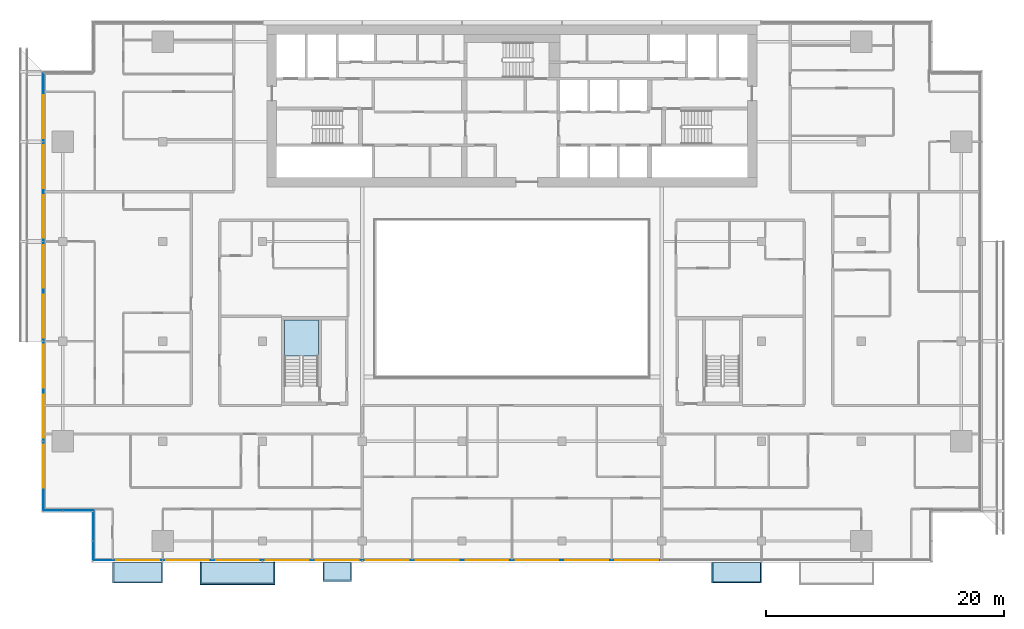
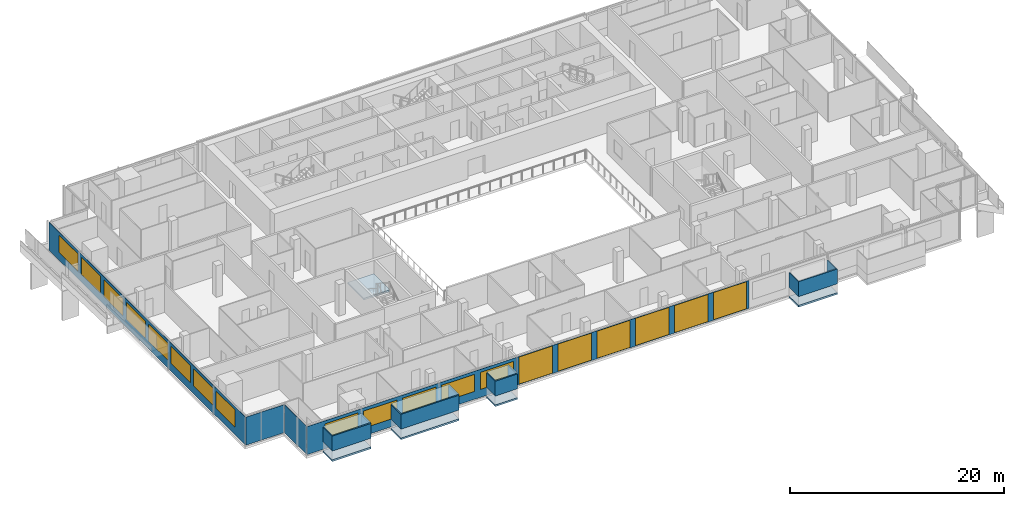
# One storey, part 15 of 29: 19 windows, 12 plates, 5 slabs, 19 openings, 5 elements without a shape of their own.
"""IFC4 building model written with IfcOpenShell, lengths in metres."""

from ifc_helpers import new_model, si_unit, direction, frame, frame_2d, origin, place, context, subcontext, project, spatial, polyline, rectangle, outline, extrude, material, layer, layer_set, type_object, element, fill, aggregate, save


model = new_model("IFC4")

# Units and contexts
model_context = context("Model", 3, precision=1e-05, world=origin(), true_north=direction((0.0, 1.0)))
body_context = subcontext(model_context, "Body", "Model", "MODEL_VIEW")
ifc_project = project(units=[si_unit("LENGTHUNIT", "METRE"), si_unit("AREAUNIT", "SQUARE_METRE"), si_unit("VOLUMEUNIT", "CUBIC_METRE"), si_unit("PLANEANGLEUNIT", "RADIAN"), si_unit("MASSUNIT", "GRAM", prefix="KILO")], contexts=[model_context])

# Site, building, storey
site_placement = place(None, origin())
site = spatial("IfcSite", under=ifc_project, at=site_placement, CompositionType="ELEMENT")
building_placement = place(site_placement, origin())
building = spatial("IfcBuilding", under=site, at=building_placement, Name="Saffron Gate Tower", CompositionType="ELEMENT")
storey_placement = place(building_placement, frame((0.0, 0.0, 161.85009765625)))
storey = spatial("IfcBuildingStorey", under=building, at=storey_placement, Name="L39", CompositionType="ELEMENT", Elevation=161.85009765625)

# Curtain wall, plates, openings, windows
ifc_material_1 = material(Name="Aluminium, bronze anodised", Category="aluminium")
curtain_wall_type_1 = type_object("IfcCurtainWallType", Name="CWS1 curtain wall front facade", PredefinedType="NOTDEFINED", material=ifc_material_1)
curtain_wall_1_placement = place(storey_placement, origin())
curtain_wall_1 = element("IfcCurtainWall", 1, at=curtain_wall_1_placement, inside=storey, type_object=curtain_wall_type_1, Name="CWS1 run 1", PredefinedType="NOTDEFINED")
ifc_material_2 = material(Name="Clear low-iron laminated glass", Category="glass")
ifc_layer_1 = layer(ifc_material_2, 0.028076171875)
ifc_layer_set_1 = layer_set([ifc_layer_1], Name="CWS1 clear glass")
plate_type_1 = type_object("IfcPlateType", Name="CWS1 clear glass", PredefinedType="CURTAIN_PANEL", material=ifc_layer_set_1)
plate_1_placement = place(storey_placement, frame((75.030029296875, 30.174072265625, 0.0), z_axis=(0.0, 0.0, 1.0), x_axis=(1.0, 0.0, 0.0)))
plate_1 = element("IfcPlate", 2, at=plate_1_placement, type_object=plate_type_1, Name="CWS1 clear glass panel", PredefinedType="CURTAIN_PANEL", context=body_context, shape_type="SweptSolid", body=[
    extrude(rectangle(XDim=25.139892578125, YDim=0.028076171875, at=frame_2d((12.56982421875, 0.0))), origin(), (0.0, 0.0, 1.0), 3.199951171875),
])
opening_1_placement = place(plate_1_placement, frame((0.27001953125, 0.0, 0.050048828125)))
opening_1 = element("IfcOpeningElement", 3, at=opening_1_placement, cuts=plate_1, Name="Opening WA", PredefinedType="OPENING", context=body_context, shape_type="SweptSolid", body=[
    extrude(rectangle(XDim=3.60009765625, YDim=3.10009765625, at=frame_2d((1.800048828125, 1.550048828125))), frame((0.0, 0.02392578125, 0.0), z_axis=(0.0, -1.0, 0.0), x_axis=(1.0, 0.0, 0.0)), (0.0, 0.0, 1.0), 0.048095703125),
])
opening_2_placement = place(plate_1_placement, frame((4.469970703125, 0.0, 0.050048828125)))
opening_2 = element("IfcOpeningElement", 4, at=opening_2_placement, cuts=plate_1, Name="Opening WA", PredefinedType="OPENING", context=body_context, shape_type="SweptSolid", body=[
    extrude(rectangle(XDim=3.60009765625, YDim=3.10009765625, at=frame_2d((1.800048828125, 1.550048828125))), frame((0.0, 0.02392578125, 0.0), z_axis=(0.0, -1.0, 0.0), x_axis=(1.0, 0.0, 0.0)), (0.0, 0.0, 1.0), 0.048095703125),
])
opening_3_placement = place(plate_1_placement, frame((8.669921875, 0.0, 0.050048828125)))
opening_3 = element("IfcOpeningElement", 5, at=opening_3_placement, cuts=plate_1, Name="Opening WA", PredefinedType="OPENING", context=body_context, shape_type="SweptSolid", body=[
    extrude(rectangle(XDim=3.60009765625, YDim=3.10009765625, at=frame_2d((1.800048828125, 1.550048828125))), frame((0.0, 0.02392578125, 0.0), z_axis=(0.0, -1.0, 0.0), x_axis=(1.0, 0.0, 0.0)), (0.0, 0.0, 1.0), 0.048095703125),
])
opening_4_placement = place(plate_1_placement, frame((12.8701171875, 0.0, 0.050048828125)))
opening_4 = element("IfcOpeningElement", 6, at=opening_4_placement, cuts=plate_1, Name="Opening WA", PredefinedType="OPENING", context=body_context, shape_type="SweptSolid", body=[
    extrude(rectangle(XDim=3.60009765625, YDim=3.10009765625, at=frame_2d((1.800048828125, 1.550048828125))), frame((0.0, 0.02392578125, 0.0), z_axis=(0.0, -1.0, 0.0), x_axis=(1.0, 0.0, 0.0)), (0.0, 0.0, 1.0), 0.048095703125),
])
opening_5_placement = place(plate_1_placement, frame((17.070068359375, 0.0, 0.050048828125)))
opening_5 = element("IfcOpeningElement", 7, at=opening_5_placement, cuts=plate_1, Name="Opening WA", PredefinedType="OPENING", context=body_context, shape_type="SweptSolid", body=[
    extrude(rectangle(XDim=3.60009765625, YDim=3.10009765625, at=frame_2d((1.800048828125, 1.550048828125))), frame((0.0, 0.02392578125, 0.0), z_axis=(0.0, -1.0, 0.0), x_axis=(1.0, 0.0, 0.0)), (0.0, 0.0, 1.0), 0.048095703125),
])
opening_6_placement = place(plate_1_placement, frame((21.27001953125, 0.0, 0.050048828125)))
opening_6 = element("IfcOpeningElement", 8, at=opening_6_placement, cuts=plate_1, Name="Opening WA", PredefinedType="OPENING", context=body_context, shape_type="SweptSolid", body=[
    extrude(rectangle(XDim=3.60009765625, YDim=3.10009765625, at=frame_2d((1.800048828125, 1.550048828125))), frame((0.0, 0.02392578125, 0.0), z_axis=(0.0, -1.0, 0.0), x_axis=(1.0, 0.0, 0.0)), (0.0, 0.0, 1.0), 0.048095703125),
])
ifc_material_3 = material(Name="Clear low-iron laminated glass in bronze frame", Category="glass")
ifc_layer_2 = layer(ifc_material_3, 0.06005859375)
ifc_layer_set_2 = layer_set([ifc_layer_2], Name="WA operable atrium unit 3600x3100")
window_type_1 = type_object("IfcWindowType", Name="WA operable atrium unit 3600x3100", PartitioningType="DOUBLE_PANEL_HORIZONTAL", PredefinedType="WINDOW", material=ifc_layer_set_2)
window_1_placement = place(opening_1_placement, origin())
window_1 = element("IfcWindow", 9, at=window_1_placement, type_object=window_type_1, Name="WA operable atrium unit", OverallHeight=3.10009765625, OverallWidth=3.60009765625, PartitioningType="SINGLE_PANEL", PredefinedType="WINDOW", context=body_context, shape_type="SweptSolid", body=[
    extrude(rectangle(XDim=3.60009765625, YDim=3.10009765625, at=frame_2d((1.800048828125, 1.550048828125))), frame((0.0, 0.013671875, 0.0), z_axis=(0.0, -1.0, 0.0), x_axis=(1.0, 0.0, 0.0)), (0.0, 0.0, 1.0), 0.027587890625),
])
fill(opening_1, window_1)
window_2_placement = place(opening_2_placement, origin())
window_2 = element("IfcWindow", 10, at=window_2_placement, type_object=window_type_1, Name="WA operable atrium unit", OverallHeight=3.10009765625, OverallWidth=3.60009765625, PartitioningType="SINGLE_PANEL", PredefinedType="WINDOW", context=body_context, shape_type="SweptSolid", body=[
    extrude(rectangle(XDim=3.60009765625, YDim=3.10009765625, at=frame_2d((1.800048828125, 1.550048828125))), frame((0.0, 0.013671875, 0.0), z_axis=(0.0, -1.0, 0.0), x_axis=(1.0, 0.0, 0.0)), (0.0, 0.0, 1.0), 0.027587890625),
])
fill(opening_2, window_2)
window_3_placement = place(opening_3_placement, origin())
window_3 = element("IfcWindow", 11, at=window_3_placement, type_object=window_type_1, Name="WA operable atrium unit", OverallHeight=3.10009765625, OverallWidth=3.60009765625, PartitioningType="SINGLE_PANEL", PredefinedType="WINDOW", context=body_context, shape_type="SweptSolid", body=[
    extrude(rectangle(XDim=3.60009765625, YDim=3.10009765625, at=frame_2d((1.800048828125, 1.550048828125))), frame((0.0, 0.013671875, 0.0), z_axis=(0.0, -1.0, 0.0), x_axis=(1.0, 0.0, 0.0)), (0.0, 0.0, 1.0), 0.027587890625),
])
fill(opening_3, window_3)
window_4_placement = place(opening_4_placement, origin())
window_4 = element("IfcWindow", 12, at=window_4_placement, type_object=window_type_1, Name="WA operable atrium unit", OverallHeight=3.10009765625, OverallWidth=3.60009765625, PartitioningType="SINGLE_PANEL", PredefinedType="WINDOW", context=body_context, shape_type="SweptSolid", body=[
    extrude(rectangle(XDim=3.60009765625, YDim=3.10009765625, at=frame_2d((1.800048828125, 1.550048828125))), frame((0.0, 0.013671875, 0.0), z_axis=(0.0, -1.0, 0.0), x_axis=(1.0, 0.0, 0.0)), (0.0, 0.0, 1.0), 0.027587890625),
])
fill(opening_4, window_4)
window_5_placement = place(opening_5_placement, origin())
window_5 = element("IfcWindow", 13, at=window_5_placement, type_object=window_type_1, Name="WA operable atrium unit", OverallHeight=3.10009765625, OverallWidth=3.60009765625, PartitioningType="SINGLE_PANEL", PredefinedType="WINDOW", context=body_context, shape_type="SweptSolid", body=[
    extrude(rectangle(XDim=3.60009765625, YDim=3.10009765625, at=frame_2d((1.800048828125, 1.550048828125))), frame((0.0, 0.013671875, 0.0), z_axis=(0.0, -1.0, 0.0), x_axis=(1.0, 0.0, 0.0)), (0.0, 0.0, 1.0), 0.027587890625),
])
fill(opening_5, window_5)
window_6_placement = place(opening_6_placement, origin())
window_6 = element("IfcWindow", 14, at=window_6_placement, type_object=window_type_1, Name="WA operable atrium unit", OverallHeight=3.10009765625, OverallWidth=3.60009765625, PartitioningType="SINGLE_PANEL", PredefinedType="WINDOW", context=body_context, shape_type="SweptSolid", body=[
    extrude(rectangle(XDim=3.60009765625, YDim=3.10009765625, at=frame_2d((1.800048828125, 1.550048828125))), frame((0.0, 0.013671875, 0.0), z_axis=(0.0, -1.0, 0.0), x_axis=(1.0, 0.0, 0.0)), (0.0, 0.0, 1.0), 0.027587890625),
])
fill(opening_6, window_6)
ifc_material_4 = material(Name="Fritted bronze-tinted laminated glass", Category="glass")
ifc_layer_3 = layer(ifc_material_4, 0.028076171875)
ifc_layer_set_3 = layer_set([ifc_layer_3], Name="CWS1 fixed glass")
plate_type_2 = type_object("IfcPlateType", Name="CWS1 fixed glass", PredefinedType="CURTAIN_PANEL", material=ifc_layer_set_3)
plate_2_placement = place(storey_placement, frame((52.387939453125, 30.174072265625, 0.0), z_axis=(0.0, 0.0, 1.0), x_axis=(1.0, 0.0, 0.0)))
plate_2 = element("IfcPlate", 15, at=plate_2_placement, type_object=plate_type_2, Name="CWS1 glass panel", PredefinedType="CURTAIN_PANEL", context=body_context, shape_type="SweptSolid", body=[
    extrude(rectangle(XDim=22.64208984375, YDim=0.028076171875, at=frame_2d((11.321044921875, 0.0))), origin(), (0.0, 0.0, 1.0), 3.199951171875),
])
opening_7_placement = place(plate_2_placement, frame((1.912109375, 0.0, 0.89990234375)))
opening_7 = element("IfcOpeningElement", 16, at=opening_7_placement, cuts=plate_2, Name="Opening W1", PredefinedType="OPENING", context=body_context, shape_type="SweptSolid", body=[
    extrude(rectangle(XDim=3.60009765625, YDim=1.949951171875, at=frame_2d((1.800048828125, 0.97509765625))), frame((0.0, 0.02392578125, 0.0), z_axis=(0.0, -1.0, 0.0), x_axis=(1.0, 0.0, 0.0)), (0.0, 0.0, 1.0), 0.048095703125),
])
opening_8_placement = place(plate_2_placement, frame((6.112060546875, 0.0, 0.89990234375)))
opening_8 = element("IfcOpeningElement", 17, at=opening_8_placement, cuts=plate_2, Name="Opening W1", PredefinedType="OPENING", context=body_context, shape_type="SweptSolid", body=[
    extrude(rectangle(XDim=3.60009765625, YDim=1.949951171875, at=frame_2d((1.800048828125, 0.97509765625))), frame((0.0, 0.02392578125, 0.0), z_axis=(0.0, -1.0, 0.0), x_axis=(1.0, 0.0, 0.0)), (0.0, 0.0, 1.0), 0.048095703125),
])
opening_9_placement = place(plate_2_placement, frame((10.31201171875, 0.0, 0.89990234375)))
opening_9 = element("IfcOpeningElement", 18, at=opening_9_placement, cuts=plate_2, Name="Opening W1", PredefinedType="OPENING", context=body_context, shape_type="SweptSolid", body=[
    extrude(rectangle(XDim=3.60009765625, YDim=1.949951171875, at=frame_2d((1.800048828125, 0.97509765625))), frame((0.0, 0.02392578125, 0.0), z_axis=(0.0, -1.0, 0.0), x_axis=(1.0, 0.0, 0.0)), (0.0, 0.0, 1.0), 0.048095703125),
])
opening_10_placement = place(plate_2_placement, frame((14.511962890625, 0.0, 0.89990234375)))
opening_10 = element("IfcOpeningElement", 19, at=opening_10_placement, cuts=plate_2, Name="Opening W1", PredefinedType="OPENING", context=body_context, shape_type="SweptSolid", body=[
    extrude(rectangle(XDim=3.60009765625, YDim=1.949951171875, at=frame_2d((1.800048828125, 0.97509765625))), frame((0.0, 0.02392578125, 0.0), z_axis=(0.0, -1.0, 0.0), x_axis=(1.0, 0.0, 0.0)), (0.0, 0.0, 1.0), 0.048095703125),
])
opening_11_placement = place(plate_2_placement, frame((18.7119140625, 0.0, 0.89990234375)))
opening_11 = element("IfcOpeningElement", 20, at=opening_11_placement, cuts=plate_2, Name="Opening W1", PredefinedType="OPENING", context=body_context, shape_type="SweptSolid", body=[
    extrude(rectangle(XDim=3.60009765625, YDim=1.949951171875, at=frame_2d((1.800048828125, 0.97509765625))), frame((0.0, 0.02392578125, 0.0), z_axis=(0.0, -1.0, 0.0), x_axis=(1.0, 0.0, 0.0)), (0.0, 0.0, 1.0), 0.048095703125),
])
ifc_material_5 = material(Name="Fritted bronze-tinted laminated glass in bronze frame", Category="glass")
ifc_layer_4 = layer(ifc_material_5, 0.06005859375)
ifc_layer_set_4 = layer_set([ifc_layer_4], Name="W1 operable panel 3600x1950")
window_type_2 = type_object("IfcWindowType", Name="W1 operable panel 3600x1950", PartitioningType="DOUBLE_PANEL_HORIZONTAL", PredefinedType="WINDOW", material=ifc_layer_set_4)
window_7_placement = place(opening_7_placement, origin())
window_7 = element("IfcWindow", 21, at=window_7_placement, type_object=window_type_2, Name="W1 operable panel", OverallHeight=1.949951171875, OverallWidth=3.60009765625, PartitioningType="SINGLE_PANEL", PredefinedType="WINDOW", context=body_context, shape_type="SweptSolid", body=[
    extrude(rectangle(XDim=3.60009765625, YDim=1.949951171875, at=frame_2d((1.800048828125, 0.97509765625))), frame((0.0, 0.013671875, 0.0), z_axis=(0.0, -1.0, 0.0), x_axis=(1.0, 0.0, 0.0)), (0.0, 0.0, 1.0), 0.027587890625),
])
fill(opening_7, window_7)
window_8_placement = place(opening_8_placement, origin())
window_8 = element("IfcWindow", 22, at=window_8_placement, type_object=window_type_2, Name="W1 operable panel", OverallHeight=1.949951171875, OverallWidth=3.60009765625, PartitioningType="SINGLE_PANEL", PredefinedType="WINDOW", context=body_context, shape_type="SweptSolid", body=[
    extrude(rectangle(XDim=3.60009765625, YDim=1.949951171875, at=frame_2d((1.800048828125, 0.97509765625))), frame((0.0, 0.013671875, 0.0), z_axis=(0.0, -1.0, 0.0), x_axis=(1.0, 0.0, 0.0)), (0.0, 0.0, 1.0), 0.027587890625),
])
fill(opening_8, window_8)
window_9_placement = place(opening_9_placement, origin())
window_9 = element("IfcWindow", 23, at=window_9_placement, type_object=window_type_2, Name="W1 operable panel", OverallHeight=1.949951171875, OverallWidth=3.60009765625, PartitioningType="SINGLE_PANEL", PredefinedType="WINDOW", context=body_context, shape_type="SweptSolid", body=[
    extrude(rectangle(XDim=3.60009765625, YDim=1.949951171875, at=frame_2d((1.800048828125, 0.97509765625))), frame((0.0, 0.013671875, 0.0), z_axis=(0.0, -1.0, 0.0), x_axis=(1.0, 0.0, 0.0)), (0.0, 0.0, 1.0), 0.027587890625),
])
fill(opening_9, window_9)
window_10_placement = place(opening_10_placement, origin())
window_10 = element("IfcWindow", 24, at=window_10_placement, type_object=window_type_2, Name="W1 operable panel", OverallHeight=1.949951171875, OverallWidth=3.60009765625, PartitioningType="SINGLE_PANEL", PredefinedType="WINDOW", context=body_context, shape_type="SweptSolid", body=[
    extrude(rectangle(XDim=3.60009765625, YDim=1.949951171875, at=frame_2d((1.800048828125, 0.97509765625))), frame((0.0, 0.013671875, 0.0), z_axis=(0.0, -1.0, 0.0), x_axis=(1.0, 0.0, 0.0)), (0.0, 0.0, 1.0), 0.027587890625),
])
fill(opening_10, window_10)
window_11_placement = place(opening_11_placement, origin())
window_11 = element("IfcWindow", 25, at=window_11_placement, type_object=window_type_2, Name="W1 operable panel", OverallHeight=1.949951171875, OverallWidth=3.60009765625, PartitioningType="SINGLE_PANEL", PredefinedType="WINDOW", context=body_context, shape_type="SweptSolid", body=[
    extrude(rectangle(XDim=3.60009765625, YDim=1.949951171875, at=frame_2d((1.800048828125, 0.97509765625))), frame((0.0, 0.013671875, 0.0), z_axis=(0.0, -1.0, 0.0), x_axis=(1.0, 0.0, 0.0)), (0.0, 0.0, 1.0), 0.027587890625),
])
fill(opening_11, window_11)
aggregate(curtain_wall_1, [plate_2, plate_1, window_7, window_8, window_9, window_10, window_11, window_1, window_2, window_3, window_4, window_5, window_6])

# Curtain wall, plate, openings, windows
curtain_wall_type_2 = type_object("IfcCurtainWallType", Name="CWS2 curtain wall side facades", PredefinedType="NOTDEFINED", material=ifc_material_1)
curtain_wall_2_placement = place(storey_placement, origin())
curtain_wall_2 = element("IfcCurtainWall", 26, at=curtain_wall_2_placement, inside=storey, type_object=curtain_wall_type_2, Name="CWS2 run 10", PredefinedType="NOTDEFINED")
ifc_layer_5 = layer(ifc_material_4, 0.028076171875)
ifc_layer_set_5 = layer_set([ifc_layer_5], Name="CWS2 fixed glass")
plate_type_3 = type_object("IfcPlateType", Name="CWS2 fixed glass", PredefinedType="CURTAIN_PANEL", material=ifc_layer_set_5)
plate_3_placement = place(storey_placement, frame((48.174072265625, 71.2119140625, 0.0), z_axis=(0.0, 0.0, 1.0), x_axis=(0.0, -1.0, 0.0)))
plate_3 = element("IfcPlate", 27, at=plate_3_placement, type_object=plate_type_3, Name="CWS2 glass panel", PredefinedType="CURTAIN_PANEL", context=body_context, shape_type="SweptSolid", body=[
    extrude(rectangle(XDim=36.823974609375, YDim=0.028076171875, at=frame_2d((18.412109375, 0.0))), origin(), (0.0, 0.0, 1.0), 3.199951171875),
])
opening_12_placement = place(plate_3_placement, frame((1.912109375, 0.0, 0.89990234375)))
opening_12 = element("IfcOpeningElement", 28, at=opening_12_placement, cuts=plate_3, Name="Opening W1", PredefinedType="OPENING", context=body_context, shape_type="SweptSolid", body=[
    extrude(rectangle(XDim=3.60009765625, YDim=1.949951171875, at=frame_2d((1.800048828125, 0.97509765625))), frame((0.0, 0.02392578125, 0.0), z_axis=(0.0, -1.0, 0.0), x_axis=(1.0, 0.0, 0.0)), (0.0, 0.0, 1.0), 0.048095703125),
])
opening_13_placement = place(plate_3_placement, frame((6.112060546875, 0.0, 0.89990234375)))
opening_13 = element("IfcOpeningElement", 29, at=opening_13_placement, cuts=plate_3, Name="Opening W1", PredefinedType="OPENING", context=body_context, shape_type="SweptSolid", body=[
    extrude(rectangle(XDim=3.60009765625, YDim=1.949951171875, at=frame_2d((1.800048828125, 0.97509765625))), frame((0.0, 0.02392578125, 0.0), z_axis=(0.0, -1.0, 0.0), x_axis=(1.0, 0.0, 0.0)), (0.0, 0.0, 1.0), 0.048095703125),
])
opening_14_placement = place(plate_3_placement, frame((10.31201171875, 0.0, 0.89990234375)))
opening_14 = element("IfcOpeningElement", 30, at=opening_14_placement, cuts=plate_3, Name="Opening W1", PredefinedType="OPENING", context=body_context, shape_type="SweptSolid", body=[
    extrude(rectangle(XDim=3.60009765625, YDim=1.949951171875, at=frame_2d((1.800048828125, 0.97509765625))), frame((0.0, 0.02392578125, 0.0), z_axis=(0.0, -1.0, 0.0), x_axis=(1.0, 0.0, 0.0)), (0.0, 0.0, 1.0), 0.048095703125),
])
opening_15_placement = place(plate_3_placement, frame((14.511962890625, 0.0, 0.89990234375)))
opening_15 = element("IfcOpeningElement", 31, at=opening_15_placement, cuts=plate_3, Name="Opening W1", PredefinedType="OPENING", context=body_context, shape_type="SweptSolid", body=[
    extrude(rectangle(XDim=3.60009765625, YDim=1.949951171875, at=frame_2d((1.800048828125, 0.97509765625))), frame((0.0, 0.02392578125, 0.0), z_axis=(0.0, -1.0, 0.0), x_axis=(1.0, 0.0, 0.0)), (0.0, 0.0, 1.0), 0.048095703125),
])
opening_16_placement = place(plate_3_placement, frame((18.7119140625, 0.0, 0.89990234375)))
opening_16 = element("IfcOpeningElement", 32, at=opening_16_placement, cuts=plate_3, Name="Opening W1", PredefinedType="OPENING", context=body_context, shape_type="SweptSolid", body=[
    extrude(rectangle(XDim=3.60009765625, YDim=1.949951171875, at=frame_2d((1.800048828125, 0.97509765625))), frame((0.0, 0.02392578125, 0.0), z_axis=(0.0, -1.0, 0.0), x_axis=(1.0, 0.0, 0.0)), (0.0, 0.0, 1.0), 0.048095703125),
])
opening_17_placement = place(plate_3_placement, frame((22.912109375, 0.0, 0.89990234375)))
opening_17 = element("IfcOpeningElement", 33, at=opening_17_placement, cuts=plate_3, Name="Opening W1", PredefinedType="OPENING", context=body_context, shape_type="SweptSolid", body=[
    extrude(rectangle(XDim=3.60009765625, YDim=1.949951171875, at=frame_2d((1.800048828125, 0.97509765625))), frame((0.0, 0.02392578125, 0.0), z_axis=(0.0, -1.0, 0.0), x_axis=(1.0, 0.0, 0.0)), (0.0, 0.0, 1.0), 0.048095703125),
])
opening_18_placement = place(plate_3_placement, frame((27.112060546875, 0.0, 0.89990234375)))
opening_18 = element("IfcOpeningElement", 34, at=opening_18_placement, cuts=plate_3, Name="Opening W1", PredefinedType="OPENING", context=body_context, shape_type="SweptSolid", body=[
    extrude(rectangle(XDim=3.60009765625, YDim=1.949951171875, at=frame_2d((1.800048828125, 0.97509765625))), frame((0.0, 0.02392578125, 0.0), z_axis=(0.0, -1.0, 0.0), x_axis=(1.0, 0.0, 0.0)), (0.0, 0.0, 1.0), 0.048095703125),
])
opening_19_placement = place(plate_3_placement, frame((31.31201171875, 0.0, 0.89990234375)))
opening_19 = element("IfcOpeningElement", 35, at=opening_19_placement, cuts=plate_3, Name="Opening W1", PredefinedType="OPENING", context=body_context, shape_type="SweptSolid", body=[
    extrude(rectangle(XDim=3.60009765625, YDim=1.949951171875, at=frame_2d((1.800048828125, 0.97509765625))), frame((0.0, 0.02392578125, 0.0), z_axis=(0.0, -1.0, 0.0), x_axis=(1.0, 0.0, 0.0)), (0.0, 0.0, 1.0), 0.048095703125),
])
window_12_placement = place(opening_12_placement, origin())
window_12 = element("IfcWindow", 36, at=window_12_placement, type_object=window_type_2, Name="W1 operable panel", OverallHeight=1.949951171875, OverallWidth=3.60009765625, PartitioningType="SINGLE_PANEL", PredefinedType="WINDOW", context=body_context, shape_type="SweptSolid", body=[
    extrude(rectangle(XDim=3.60009765625, YDim=1.949951171875, at=frame_2d((1.800048828125, 0.97509765625))), frame((0.0, 0.013671875, 0.0), z_axis=(0.0, -1.0, 0.0), x_axis=(1.0, 0.0, 0.0)), (0.0, 0.0, 1.0), 0.027587890625),
])
fill(opening_12, window_12)
window_13_placement = place(opening_13_placement, origin())
window_13 = element("IfcWindow", 37, at=window_13_placement, type_object=window_type_2, Name="W1 operable panel", OverallHeight=1.949951171875, OverallWidth=3.60009765625, PartitioningType="SINGLE_PANEL", PredefinedType="WINDOW", context=body_context, shape_type="SweptSolid", body=[
    extrude(rectangle(XDim=3.60009765625, YDim=1.949951171875, at=frame_2d((1.800048828125, 0.97509765625))), frame((0.0, 0.013671875, 0.0), z_axis=(0.0, -1.0, 0.0), x_axis=(1.0, 0.0, 0.0)), (0.0, 0.0, 1.0), 0.027587890625),
])
fill(opening_13, window_13)
window_14_placement = place(opening_14_placement, origin())
window_14 = element("IfcWindow", 38, at=window_14_placement, type_object=window_type_2, Name="W1 operable panel", OverallHeight=1.949951171875, OverallWidth=3.60009765625, PartitioningType="SINGLE_PANEL", PredefinedType="WINDOW", context=body_context, shape_type="SweptSolid", body=[
    extrude(rectangle(XDim=3.60009765625, YDim=1.949951171875, at=frame_2d((1.800048828125, 0.97509765625))), frame((0.0, 0.013671875, 0.0), z_axis=(0.0, -1.0, 0.0), x_axis=(1.0, 0.0, 0.0)), (0.0, 0.0, 1.0), 0.027587890625),
])
fill(opening_14, window_14)
window_15_placement = place(opening_15_placement, origin())
window_15 = element("IfcWindow", 39, at=window_15_placement, type_object=window_type_2, Name="W1 operable panel", OverallHeight=1.949951171875, OverallWidth=3.60009765625, PartitioningType="SINGLE_PANEL", PredefinedType="WINDOW", context=body_context, shape_type="SweptSolid", body=[
    extrude(rectangle(XDim=3.60009765625, YDim=1.949951171875, at=frame_2d((1.800048828125, 0.97509765625))), frame((0.0, 0.013671875, 0.0), z_axis=(0.0, -1.0, 0.0), x_axis=(1.0, 0.0, 0.0)), (0.0, 0.0, 1.0), 0.027587890625),
])
fill(opening_15, window_15)
window_16_placement = place(opening_16_placement, origin())
window_16 = element("IfcWindow", 40, at=window_16_placement, type_object=window_type_2, Name="W1 operable panel", OverallHeight=1.949951171875, OverallWidth=3.60009765625, PartitioningType="SINGLE_PANEL", PredefinedType="WINDOW", context=body_context, shape_type="SweptSolid", body=[
    extrude(rectangle(XDim=3.60009765625, YDim=1.949951171875, at=frame_2d((1.800048828125, 0.97509765625))), frame((0.0, 0.013671875, 0.0), z_axis=(0.0, -1.0, 0.0), x_axis=(1.0, 0.0, 0.0)), (0.0, 0.0, 1.0), 0.027587890625),
])
fill(opening_16, window_16)
window_17_placement = place(opening_17_placement, origin())
window_17 = element("IfcWindow", 41, at=window_17_placement, type_object=window_type_2, Name="W1 operable panel", OverallHeight=1.949951171875, OverallWidth=3.60009765625, PartitioningType="SINGLE_PANEL", PredefinedType="WINDOW", context=body_context, shape_type="SweptSolid", body=[
    extrude(rectangle(XDim=3.60009765625, YDim=1.949951171875, at=frame_2d((1.800048828125, 0.97509765625))), frame((0.0, 0.013671875, 0.0), z_axis=(0.0, -1.0, 0.0), x_axis=(1.0, 0.0, 0.0)), (0.0, 0.0, 1.0), 0.027587890625),
])
fill(opening_17, window_17)
window_18_placement = place(opening_18_placement, origin())
window_18 = element("IfcWindow", 42, at=window_18_placement, type_object=window_type_2, Name="W1 operable panel", OverallHeight=1.949951171875, OverallWidth=3.60009765625, PartitioningType="SINGLE_PANEL", PredefinedType="WINDOW", context=body_context, shape_type="SweptSolid", body=[
    extrude(rectangle(XDim=3.60009765625, YDim=1.949951171875, at=frame_2d((1.800048828125, 0.97509765625))), frame((0.0, 0.013671875, 0.0), z_axis=(0.0, -1.0, 0.0), x_axis=(1.0, 0.0, 0.0)), (0.0, 0.0, 1.0), 0.027587890625),
])
fill(opening_18, window_18)
window_19_placement = place(opening_19_placement, origin())
window_19 = element("IfcWindow", 43, at=window_19_placement, type_object=window_type_2, Name="W1 operable panel", OverallHeight=1.949951171875, OverallWidth=3.60009765625, PartitioningType="SINGLE_PANEL", PredefinedType="WINDOW", context=body_context, shape_type="SweptSolid", body=[
    extrude(rectangle(XDim=3.60009765625, YDim=1.949951171875, at=frame_2d((1.800048828125, 0.97509765625))), frame((0.0, 0.013671875, 0.0), z_axis=(0.0, -1.0, 0.0), x_axis=(1.0, 0.0, 0.0)), (0.0, 0.0, 1.0), 0.027587890625),
])
fill(opening_19, window_19)
aggregate(curtain_wall_2, [plate_3, window_12, window_13, window_14, window_15, window_16, window_17, window_18, window_19])

# Curtain wall, plate
curtain_wall_type_3 = type_object("IfcCurtainWallType", Name="CWS4 curtain wall corner returns", PredefinedType="NOTDEFINED", material=ifc_material_1)
curtain_wall_3_placement = place(storey_placement, origin())
curtain_wall_3 = element("IfcCurtainWall", 44, at=curtain_wall_3_placement, inside=storey, type_object=curtain_wall_type_3, Name="CWS4 run 11", PredefinedType="NOTDEFINED")
ifc_layer_6 = layer(ifc_material_4, 0.028076171875)
ifc_layer_set_6 = layer_set([ifc_layer_6], Name="CWS4 fixed glass")
plate_type_4 = type_object("IfcPlateType", Name="CWS4 fixed glass", PredefinedType="CURTAIN_PANEL", material=ifc_layer_set_6)
plate_4_placement = place(storey_placement, frame((48.18798828125, 34.3740234375, 0.0), z_axis=(0.0, 0.0, 1.0), x_axis=(1.0, 0.0, 0.0)))
plate_4 = element("IfcPlate", 45, at=plate_4_placement, type_object=plate_type_4, Name="CWS4 glass panel", PredefinedType="CURTAIN_PANEL", context=body_context, shape_type="SweptSolid", body=[
    extrude(rectangle(XDim=4.172119140625, YDim=0.028076171875, at=frame_2d((2.0859375, 0.0))), origin(), (0.0, 0.0, 1.0), 3.199951171875),
])
aggregate(curtain_wall_3, [plate_4])

curtain_wall_4_placement = place(storey_placement, origin())
curtain_wall_4 = element("IfcCurtainWall", 46, at=curtain_wall_4_placement, inside=storey, type_object=curtain_wall_type_3, Name="CWS4 run 12", PredefinedType="NOTDEFINED")
plate_5_placement = place(storey_placement, frame((52.3740234375, 34.360107421875, 0.0), z_axis=(0.0, 0.0, 1.0), x_axis=(0.0, -1.0, 0.0)))
plate_5 = element("IfcPlate", 47, at=plate_5_placement, type_object=plate_type_4, Name="CWS4 glass panel", PredefinedType="CURTAIN_PANEL", context=body_context, shape_type="SweptSolid", body=[
    extrude(rectangle(XDim=4.172119140625, YDim=0.028076171875, at=frame_2d((2.0859375, 0.0))), origin(), (0.0, 0.0, 1.0), 3.199951171875),
])
aggregate(curtain_wall_4, [plate_5])

# Stair, slab
ifc_material_6 = material(Name="Concrete C40", Category="concrete")
stair_type = type_object("IfcStairType", Name="ST7 Stair 1350 wide, 20 risers of 180", PredefinedType="HALF_TURN_STAIR", material=ifc_material_6)
stair_placement = place(storey_placement, origin())
stair = element("IfcStair", 48, at=stair_placement, inside=storey, type_object=stair_type, Name="L39 Exit stair D", PredefinedType="HALF_TURN_STAIR")
ifc_layer_7 = layer(ifc_material_6, 0.199951171875)
ifc_layer_set_7 = layer_set([ifc_layer_7], Name="SL1 Stair landing 200")
slab_type_1 = type_object("IfcSlabType", Name="SL1 Stair landing 200", PredefinedType="LANDING", material=ifc_layer_set_7)
slab_1_placement = place(storey_placement, frame((0.0, 0.0, 1.599853515625)))
slab_1 = element("IfcSlab", 49, at=slab_1_placement, type_object=slab_type_1, Name="ST-D landing 1", PredefinedType="LANDING", context=body_context, shape_type="SweptSolid", body=[
    extrude(outline(polyline([(71.300048828125, 47.3701171875), (71.300048828125, 50.39990234375), (68.449951171875, 50.39990234375), (68.449951171875, 47.3701171875), (71.300048828125, 47.3701171875)])), origin(), (0.0, 0.0, 1.0), 0.199951171875),
])
aggregate(stair, [slab_1])

# Slabs
ifc_material_7 = material(Name="Timber deck on bronze frame", Category="wood")
ifc_layer_8 = layer(ifc_material_7, 0.199951171875)
ifc_layer_set_8 = layer_set([ifc_layer_8], Name="WB1 box floor")
slab_type_2 = type_object("IfcSlabType", Name="WB1 box floor", PredefinedType="FLOOR", material=ifc_layer_set_8)
slab_2_placement = place(storey_placement, frame((0.0, 0.0, -0.2001953125)))
element("IfcSlab", 50, at=slab_2_placement, inside=storey, type_object=slab_type_2, Name="WINDOW BOX floor", PredefinedType="FLOOR", context=body_context, shape_type="SweptSolid", body=[
    extrude(outline(polyline([(54.0, 30.0), (58.199951171875, 30.0), (58.199951171875, 28.26708984375), (54.0, 28.26708984375), (54.0, 30.0)])), origin(), (0.0, 0.0, 1.0), 0.2001953125),
])
slab_3_placement = place(storey_placement, frame((0.0, 0.0, -0.2001953125)))
element("IfcSlab", 51, at=slab_3_placement, inside=storey, type_object=slab_type_2, Name="WINDOW BOX floor", PredefinedType="FLOOR", context=body_context, shape_type="SweptSolid", body=[
    extrude(outline(polyline([(61.35009765625, 30.0), (67.64990234375, 30.0), (67.64990234375, 28.133056640625), (61.35009765625, 28.133056640625), (61.35009765625, 30.0)])), origin(), (0.0, 0.0, 1.0), 0.2001953125),
])
slab_4_placement = place(storey_placement, frame((0.0, 0.0, -0.2001953125)))
element("IfcSlab", 52, at=slab_4_placement, inside=storey, type_object=slab_type_2, Name="WINDOW BOX floor", PredefinedType="FLOOR", context=body_context, shape_type="SweptSolid", body=[
    extrude(outline(polyline([(71.699951171875, 30.0), (74.10009765625, 30.0), (74.10009765625, 28.39990234375), (71.699951171875, 28.39990234375), (71.699951171875, 30.0)])), origin(), (0.0, 0.0, 1.0), 0.2001953125),
])
slab_5_placement = place(storey_placement, frame((0.0, 0.0, -0.2001953125)))
element("IfcSlab", 53, at=slab_5_placement, inside=storey, type_object=slab_type_2, Name="WINDOW BOX floor", PredefinedType="FLOOR", context=body_context, shape_type="SweptSolid", body=[
    extrude(outline(polyline([(104.39990234375, 30.0), (108.60009765625, 30.0), (108.60009765625, 28.26708984375), (104.39990234375, 28.26708984375), (104.39990234375, 30.0)])), origin(), (0.0, 0.0, 1.0), 0.2001953125),
])

# Plates
ifc_layer_9 = layer(ifc_material_1, 0.1201171875)
ifc_layer_set_9 = layer_set([ifc_layer_9], Name="WB2 box roof")
plate_type_5 = type_object("IfcPlateType", Name="WB2 box roof", PredefinedType="SHEET", material=ifc_layer_set_9)
plate_6_placement = place(storey_placement, frame((0.0, 0.0, 2.699951171875)))
element("IfcPlate", 54, at=plate_6_placement, inside=storey, type_object=plate_type_5, Name="WINDOW BOX roof", PredefinedType="SHEET", context=body_context, shape_type="SweptSolid", body=[
    extrude(outline(polyline([(54.0, 30.0), (58.199951171875, 30.0), (58.199951171875, 28.26708984375), (54.0, 28.26708984375), (54.0, 30.0)])), origin(), (0.0, 0.0, 1.0), 0.119873046875),
])
plate_7_placement = place(storey_placement, frame((0.0, 0.0, 2.699951171875)))
element("IfcPlate", 55, at=plate_7_placement, inside=storey, type_object=plate_type_5, Name="WINDOW BOX roof", PredefinedType="SHEET", context=body_context, shape_type="SweptSolid", body=[
    extrude(outline(polyline([(61.35009765625, 30.0), (67.64990234375, 30.0), (67.64990234375, 28.133056640625), (61.35009765625, 28.133056640625), (61.35009765625, 30.0)])), origin(), (0.0, 0.0, 1.0), 0.119873046875),
])
plate_8_placement = place(storey_placement, frame((0.0, 0.0, 2.699951171875)))
element("IfcPlate", 56, at=plate_8_placement, inside=storey, type_object=plate_type_5, Name="WINDOW BOX roof", PredefinedType="SHEET", context=body_context, shape_type="SweptSolid", body=[
    extrude(outline(polyline([(71.699951171875, 30.0), (74.10009765625, 30.0), (74.10009765625, 28.39990234375), (71.699951171875, 28.39990234375), (71.699951171875, 30.0)])), origin(), (0.0, 0.0, 1.0), 0.119873046875),
])
ifc_layer_10 = layer(ifc_material_2, 0.10009765625)
ifc_layer_set_10 = layer_set([ifc_layer_10], Name="WB6 box glazing")
plate_type_6 = type_object("IfcPlateType", Name="WB6 box glazing", PredefinedType="SHEET", material=ifc_layer_set_10)
plate_9_placement = place(storey_placement, frame((0.0, 0.0, 1.0)))
element("IfcPlate", 57, at=plate_9_placement, inside=storey, type_object=plate_type_6, Name="WINDOW BOX glazing", PredefinedType="SHEET", context=body_context, shape_type="SweptSolid", body=[
    extrude(outline(polyline([(54.0, 30.0), (54.10009765625, 30.0), (54.10009765625, 28.366943359375), (58.10009765625, 28.366943359375), (58.10009765625, 30.0), (58.199951171875, 30.0), (58.199951171875, 28.26708984375), (54.0, 28.26708984375), (54.0, 30.0)])), origin(), (0.0, 0.0, 1.0), 1.699951171875),
])
plate_10_placement = place(storey_placement, frame((0.0, 0.0, 1.0)))
element("IfcPlate", 58, at=plate_10_placement, inside=storey, type_object=plate_type_6, Name="WINDOW BOX glazing", PredefinedType="SHEET", context=body_context, shape_type="SweptSolid", body=[
    extrude(outline(polyline([(61.35009765625, 30.0), (61.449951171875, 30.0), (61.449951171875, 28.23291015625), (67.550048828125, 28.23291015625), (67.550048828125, 30.0), (67.64990234375, 30.0), (67.64990234375, 28.133056640625), (61.35009765625, 28.133056640625), (61.35009765625, 30.0)])), origin(), (0.0, 0.0, 1.0), 1.699951171875),
])
plate_11_placement = place(storey_placement, frame((0.0, 0.0, 1.0)))
element("IfcPlate", 59, at=plate_11_placement, inside=storey, type_object=plate_type_6, Name="WINDOW BOX glazing", PredefinedType="SHEET", context=body_context, shape_type="SweptSolid", body=[
    extrude(outline(polyline([(71.699951171875, 30.0), (71.800048828125, 30.0), (71.800048828125, 28.5), (74.0, 28.5), (74.0, 30.0), (74.10009765625, 30.0), (74.10009765625, 28.39990234375), (71.699951171875, 28.39990234375), (71.699951171875, 30.0)])), origin(), (0.0, 0.0, 1.0), 1.699951171875),
])
plate_12_placement = place(storey_placement, frame((0.0, 0.0, 1.0)))
element("IfcPlate", 60, at=plate_12_placement, inside=storey, type_object=plate_type_6, Name="WINDOW BOX glazing", PredefinedType="SHEET", context=body_context, shape_type="SweptSolid", body=[
    extrude(outline(polyline([(104.39990234375, 30.0), (104.5, 30.0), (104.5, 28.366943359375), (108.5, 28.366943359375), (108.5, 30.0), (108.60009765625, 30.0), (108.60009765625, 28.26708984375), (104.39990234375, 28.26708984375), (104.39990234375, 30.0)])), origin(), (0.0, 0.0, 1.0), 1.699951171875),
])

save(model, "model.ifc")
